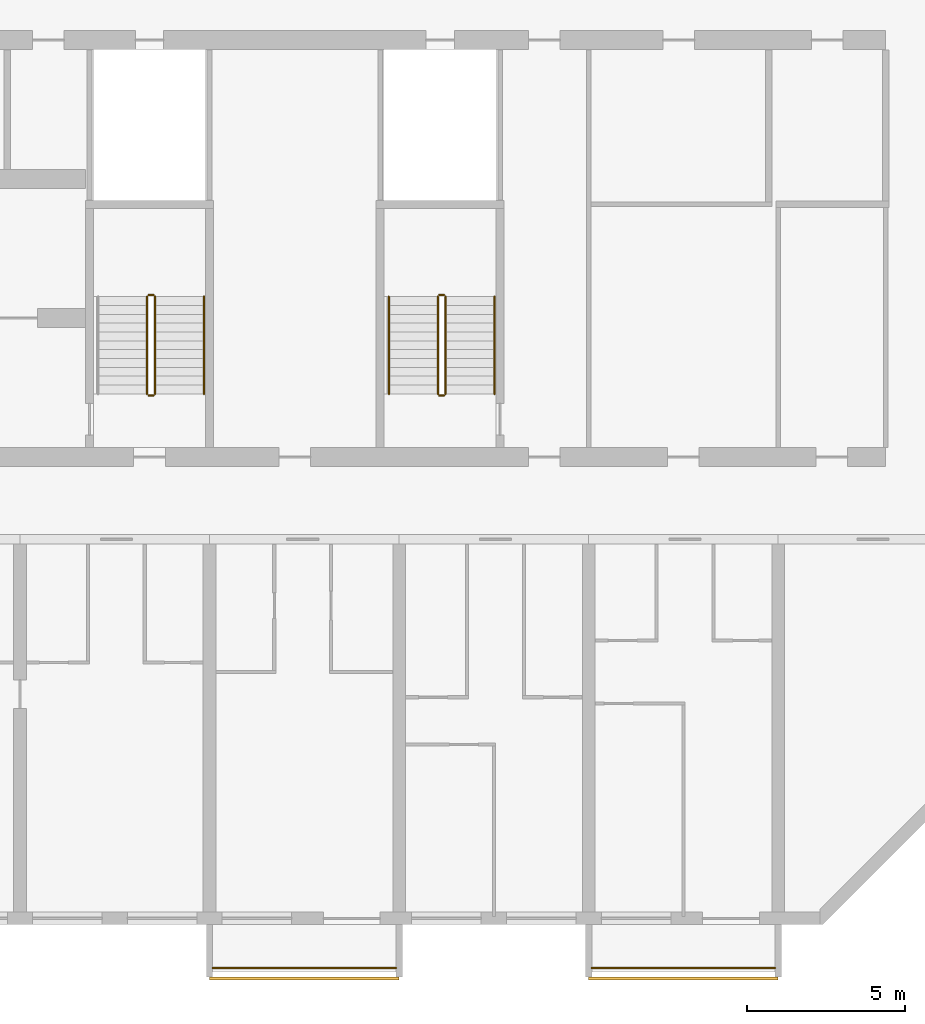
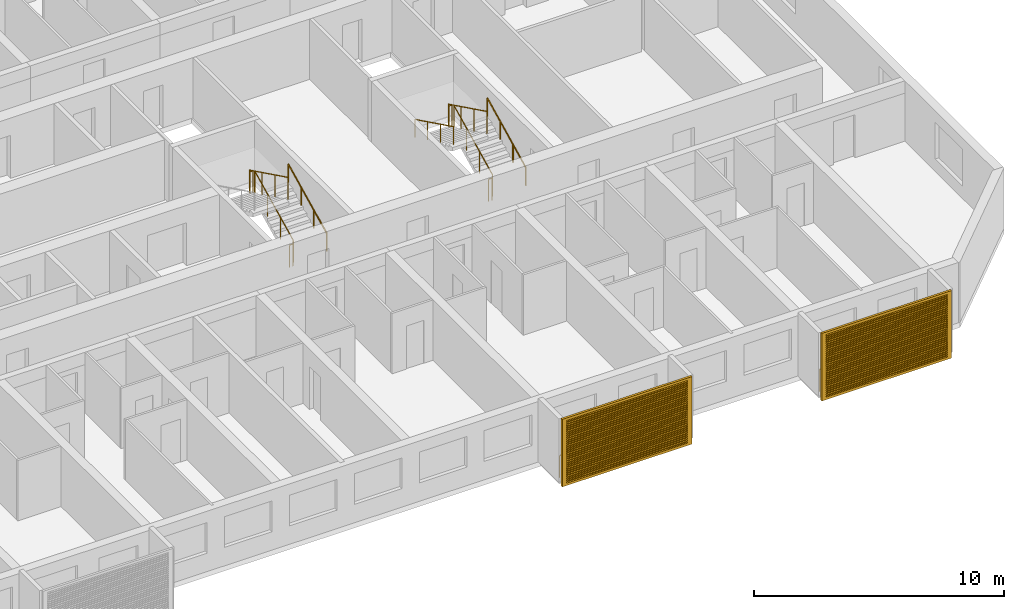
# One storey, part 35 of 39: 13 railings, 2 shading devices.
"""IFC4 building model written with IfcOpenShell, lengths in metres."""

from ifc_helpers import new_model, si_unit, direction, frame, origin, origin_2d, place, context, subcontext, project, spatial, polyline, circle, outline, extrude, source, transform, mapped, material, material_profile, profile_set, type_object, element, save


model = new_model("IFC4")

# Units and contexts
model_context = context("Model", 3, precision=1e-05, world=origin(), true_north=direction((0.0, 1.0)))
body_context = subcontext(model_context, "Body", "Model", "MODEL_VIEW")
ifc_project = project(units=[si_unit("LENGTHUNIT", "METRE"), si_unit("AREAUNIT", "SQUARE_METRE"), si_unit("VOLUMEUNIT", "CUBIC_METRE"), si_unit("PLANEANGLEUNIT", "RADIAN"), si_unit("MASSUNIT", "GRAM", prefix="KILO")], contexts=[model_context])

# Site, building, storey
site_placement = place(None, origin())
site = spatial("IfcSite", under=ifc_project, at=site_placement, CompositionType="ELEMENT")
building_placement = place(site_placement, origin())
building = spatial("IfcBuilding", under=site, at=building_placement, Name="Poui Terraces", CompositionType="ELEMENT")
storey_placement = place(building_placement, frame((0.0, 0.0, 63.0)))
storey = spatial("IfcBuildingStorey", under=building, at=storey_placement, Name="L17", CompositionType="ELEMENT", Elevation=63.0)

# Railings
ifc_material_1 = material(Name="Painted steel fretwork", Category="steel")
railing_type_1 = type_object("IfcRailingType", Name="BALCONY GUARD 1100", PredefinedType="GUARDRAIL", material=ifc_material_1)
for number, where, name in (
    (1, (72.10009765625, -1.570068359375, 0.0), "BALCONY GUARD"),
    (2, (84.10009765625, -1.570068359375, 0.0), "BALCONY GUARD"),
):
    element("IfcRailing", number, at=place(storey_placement, frame(where)), inside=storey, type_object=railing_type_1, Name=name, PredefinedType="GUARDRAIL", context=body_context, shape_type="SweptSolid", body=[
        extrude(circle(Radius=0.02392578125, at=origin_2d()), frame((0.0, 0.0, 1.076171875), z_axis=(1.0, 0.0, 0.0), x_axis=(0.0, 1.0, 0.0)), (0.0, 0.0, 1.0), 5.7998046875),
        extrude(circle(Radius=0.02099609375, at=origin_2d()), origin(), (0.0, 0.0, 1.0), 1.052001953125),
        extrude(circle(Radius=0.02099609375, at=origin_2d()), frame((0.966552734375, 0.0, 0.0)), (0.0, 0.0, 1.0), 1.052001953125),
        extrude(circle(Radius=0.02099609375, at=origin_2d()), frame((1.933349609375, 0.0, 0.0)), (0.0, 0.0, 1.0), 1.052001953125),
        extrude(circle(Radius=0.02099609375, at=origin_2d()), frame((2.89990234375, 0.0, 0.0)), (0.0, 0.0, 1.0), 1.052001953125),
        extrude(circle(Radius=0.02099609375, at=origin_2d()), frame((3.866455078125, 0.0, 0.0)), (0.0, 0.0, 1.0), 1.052001953125),
        extrude(circle(Radius=0.02099609375, at=origin_2d()), frame((4.833251953125, 0.0, 0.0)), (0.0, 0.0, 1.0), 1.052001953125),
        extrude(circle(Radius=0.02099609375, at=origin_2d()), frame((5.7998046875, 0.0, 0.0)), (0.0, 0.0, 1.0), 1.052001953125),
    ])
ifc_material_2 = material(Name="Galvanised steel balustrade", Category="steel")
railing_type_2 = type_object("IfcRailingType", Name="STAIR GUARD 1100", PredefinedType="GUARDRAIL", material=ifc_material_2)
railing_1_placement = place(storey_placement, frame((70.27490234375, 16.60009765625, 0.137451171875)))
element("IfcRailing", 3, at=railing_1_placement, inside=storey, type_object=railing_type_2, Name="L17 ST-CE stair guard 1", PredefinedType="GUARDRAIL", context=body_context, shape_type="SweptSolid", body=[
    extrude(circle(Radius=0.02392578125, at=origin_2d()), frame((0.0, 0.0, 1.076171875), z_axis=(0.0, 0.897606190399, 0.440798283751), x_axis=(-1.0, 0.0, 0.0)), (0.0, 0.0, 1.0), 3.43115234375),
    extrude(circle(Radius=0.02099609375, at=origin_2d()), origin(), (0.0, 0.0, 1.0), 1.052001953125),
    extrude(circle(Radius=0.02099609375, at=origin_2d()), frame((0.0, 1.026611328125, 0.504150390625)), (0.0, 0.0, 1.0), 1.052001953125),
    extrude(circle(Radius=0.02099609375, at=origin_2d()), frame((0.0, 2.05322265625, 1.00830078125)), (0.0, 0.0, 1.0), 1.052001953125),
    extrude(circle(Radius=0.02099609375, at=origin_2d()), frame((0.0, 3.079833984375, 1.512451171875)), (0.0, 0.0, 1.0), 1.052001953125),
])
railing_2_placement = place(storey_placement, frame((70.22509765625, 19.72998046875, 1.64990234375)))
element("IfcRailing", 4, at=railing_2_placement, inside=storey, type_object=railing_type_2, Name="L17 ST-CE stair guard 2", PredefinedType="GUARDRAIL", context=body_context, shape_type="SweptSolid", body=[
    extrude(circle(Radius=0.02392578125, at=origin_2d()), frame((0.0, 0.0, 1.076171875), z_axis=(-1.0, 0.0, 0.0), x_axis=(0.0, -1.0, 0.0)), (0.0, 0.0, 1.0), 0.150146484375),
    extrude(circle(Radius=0.02099609375, at=origin_2d()), origin(), (0.0, 0.0, 1.0), 1.052001953125),
    extrude(circle(Radius=0.02099609375, at=origin_2d()), frame((-0.150146484375, 0.0, 0.0)), (0.0, 0.0, 1.0), 1.052001953125),
])
railing_3_placement = place(storey_placement, frame((70.02490234375, 19.679931640625, 1.78759765625)))
element("IfcRailing", 5, at=railing_3_placement, inside=storey, type_object=railing_type_2, Name="L17 ST-CE stair guard 3", PredefinedType="GUARDRAIL", context=body_context, shape_type="SweptSolid", body=[
    extrude(circle(Radius=0.02392578125, at=origin_2d()), frame((0.0, 0.0, 1.076171875), z_axis=(0.0, -0.897606190399, 0.440798283751), x_axis=(1.0, 0.0, 0.0)), (0.0, 0.0, 1.0), 3.43115234375),
    extrude(circle(Radius=0.02099609375, at=origin_2d()), origin(), (0.0, 0.0, 1.0), 1.052001953125),
    extrude(circle(Radius=0.02099609375, at=origin_2d()), frame((0.0, -1.026611328125, 0.504150390625)), (0.0, 0.0, 1.0), 1.052001953125),
    extrude(circle(Radius=0.02099609375, at=origin_2d()), frame((0.0, -2.05322265625, 1.00830078125)), (0.0, 0.0, 1.0), 1.052001953125),
    extrude(circle(Radius=0.02099609375, at=origin_2d()), frame((0.0, -3.079833984375, 1.512451171875)), (0.0, 0.0, 1.0), 1.052001953125),
])
railing_4_placement = place(storey_placement, frame((70.22509765625, 16.550048828125, 0.0)))
element("IfcRailing", 6, at=railing_4_placement, inside=storey, type_object=railing_type_2, Name="L17 ST-CE stair guard 4", PredefinedType="GUARDRAIL", context=body_context, shape_type="SweptSolid", body=[
    extrude(circle(Radius=0.02392578125, at=origin_2d()), frame((0.0, 0.0, 1.076171875), z_axis=(-1.0, 0.0, 0.0), x_axis=(0.0, -1.0, 0.0)), (0.0, 0.0, 1.0), 0.150146484375),
    extrude(circle(Radius=0.02099609375, at=origin_2d()), origin(), (0.0, 0.0, 1.0), 1.052001953125),
    extrude(circle(Radius=0.02099609375, at=origin_2d()), frame((-0.150146484375, 0.0, 0.0)), (0.0, 0.0, 1.0), 1.052001953125),
])
railing_5_placement = place(storey_placement, frame((79.47509765625, 16.60009765625, 0.137451171875)))
element("IfcRailing", 7, at=railing_5_placement, inside=storey, type_object=railing_type_2, Name="L17 ST-E stair guard 1", PredefinedType="GUARDRAIL", context=body_context, shape_type="SweptSolid", body=[
    extrude(circle(Radius=0.02392578125, at=origin_2d()), frame((0.0, 0.0, 1.076171875), z_axis=(0.0, 0.897606190399, 0.440798283751), x_axis=(-1.0, 0.0, 0.0)), (0.0, 0.0, 1.0), 3.43115234375),
    extrude(circle(Radius=0.02099609375, at=origin_2d()), origin(), (0.0, 0.0, 1.0), 1.052001953125),
    extrude(circle(Radius=0.02099609375, at=origin_2d()), frame((0.0, 1.026611328125, 0.504150390625)), (0.0, 0.0, 1.0), 1.052001953125),
    extrude(circle(Radius=0.02099609375, at=origin_2d()), frame((0.0, 2.05322265625, 1.00830078125)), (0.0, 0.0, 1.0), 1.052001953125),
    extrude(circle(Radius=0.02099609375, at=origin_2d()), frame((0.0, 3.079833984375, 1.512451171875)), (0.0, 0.0, 1.0), 1.052001953125),
])
railing_6_placement = place(storey_placement, frame((79.425048828125, 19.72998046875, 1.64990234375)))
element("IfcRailing", 8, at=railing_6_placement, inside=storey, type_object=railing_type_2, Name="L17 ST-E stair guard 2", PredefinedType="GUARDRAIL", context=body_context, shape_type="SweptSolid", body=[
    extrude(circle(Radius=0.02392578125, at=origin_2d()), frame((0.0, 0.0, 1.076171875), z_axis=(-1.0, 0.0, 0.0), x_axis=(0.0, -1.0, 0.0)), (0.0, 0.0, 1.0), 0.150146484375),
    extrude(circle(Radius=0.02099609375, at=origin_2d()), origin(), (0.0, 0.0, 1.0), 1.052001953125),
    extrude(circle(Radius=0.02099609375, at=origin_2d()), frame((-0.150146484375, 0.0, 0.0)), (0.0, 0.0, 1.0), 1.052001953125),
])
railing_7_placement = place(storey_placement, frame((79.22509765625, 19.679931640625, 1.78759765625)))
element("IfcRailing", 9, at=railing_7_placement, inside=storey, type_object=railing_type_2, Name="L17 ST-E stair guard 3", PredefinedType="GUARDRAIL", context=body_context, shape_type="SweptSolid", body=[
    extrude(circle(Radius=0.02392578125, at=origin_2d()), frame((0.0, 0.0, 1.076171875), z_axis=(0.0, -0.897606190399, 0.440798283751), x_axis=(1.0, 0.0, 0.0)), (0.0, 0.0, 1.0), 3.43115234375),
    extrude(circle(Radius=0.02099609375, at=origin_2d()), origin(), (0.0, 0.0, 1.0), 1.052001953125),
    extrude(circle(Radius=0.02099609375, at=origin_2d()), frame((0.0, -1.026611328125, 0.504150390625)), (0.0, 0.0, 1.0), 1.052001953125),
    extrude(circle(Radius=0.02099609375, at=origin_2d()), frame((0.0, -2.05322265625, 1.00830078125)), (0.0, 0.0, 1.0), 1.052001953125),
    extrude(circle(Radius=0.02099609375, at=origin_2d()), frame((0.0, -3.079833984375, 1.512451171875)), (0.0, 0.0, 1.0), 1.052001953125),
])
railing_8_placement = place(storey_placement, frame((79.425048828125, 16.550048828125, 0.0)))
element("IfcRailing", 10, at=railing_8_placement, inside=storey, type_object=railing_type_2, Name="L17 ST-E stair guard 4", PredefinedType="GUARDRAIL", context=body_context, shape_type="SweptSolid", body=[
    extrude(circle(Radius=0.02392578125, at=origin_2d()), frame((0.0, 0.0, 1.076171875), z_axis=(-1.0, 0.0, 0.0), x_axis=(0.0, -1.0, 0.0)), (0.0, 0.0, 1.0), 0.150146484375),
    extrude(circle(Radius=0.02099609375, at=origin_2d()), origin(), (0.0, 0.0, 1.0), 1.052001953125),
    extrude(circle(Radius=0.02099609375, at=origin_2d()), frame((-0.150146484375, 0.0, 0.0)), (0.0, 0.0, 1.0), 1.052001953125),
])
ifc_material_3 = material(Name="Stainless steel handrail", Category="steel")
railing_type_3 = type_object("IfcRailingType", Name="STAIR HANDRAIL 900", PredefinedType="HANDRAIL", material=ifc_material_3)
for number, where, name in (
    (11, (71.824951171875, 16.60009765625, 0.137451171875), "L17 ST-CE stair handrail 1"),
    (12, (81.02490234375, 16.60009765625, 0.137451171875), "L17 ST-E stair handrail 1"),
):
    element("IfcRailing", number, at=place(storey_placement, frame(where)), inside=storey, type_object=railing_type_3, Name=name, PredefinedType="HANDRAIL", context=body_context, shape_type="SweptSolid", body=[
        extrude(circle(Radius=0.02392578125, at=origin_2d()), frame((0.0, 0.0, 0.8759765625), z_axis=(0.0, 0.897606190399, 0.440798283751), x_axis=(-1.0, 0.0, 0.0)), (0.0, 0.0, 1.0), 3.43115234375),
        extrude(circle(Radius=0.02099609375, at=origin_2d()), origin(), (0.0, 0.0, 1.0), 0.851806640625),
        extrude(circle(Radius=0.02099609375, at=origin_2d()), frame((0.0, 1.026611328125, 0.504150390625)), (0.0, 0.0, 1.0), 0.851806640625),
        extrude(circle(Radius=0.02099609375, at=origin_2d()), frame((0.0, 2.05322265625, 1.00830078125)), (0.0, 0.0, 1.0), 0.851806640625),
        extrude(circle(Radius=0.02099609375, at=origin_2d()), frame((0.0, 3.079833984375, 1.512451171875)), (0.0, 0.0, 1.0), 0.851806640625),
    ])
railing_9_placement = place(storey_placement, frame((77.675048828125, 19.679931640625, 1.78759765625)))
element("IfcRailing", 13, at=railing_9_placement, inside=storey, type_object=railing_type_3, Name="L17 ST-E stair handrail 2", PredefinedType="HANDRAIL", context=body_context, shape_type="SweptSolid", body=[
    extrude(circle(Radius=0.02392578125, at=origin_2d()), frame((0.0, 0.0, 0.8759765625), z_axis=(0.0, -0.897606190399, 0.440798283751), x_axis=(1.0, 0.0, 0.0)), (0.0, 0.0, 1.0), 3.43115234375),
    extrude(circle(Radius=0.02099609375, at=origin_2d()), origin(), (0.0, 0.0, 1.0), 0.851806640625),
    extrude(circle(Radius=0.02099609375, at=origin_2d()), frame((0.0, -1.026611328125, 0.504150390625)), (0.0, 0.0, 1.0), 0.851806640625),
    extrude(circle(Radius=0.02099609375, at=origin_2d()), frame((0.0, -2.05322265625, 1.00830078125)), (0.0, 0.0, 1.0), 0.851806640625),
    extrude(circle(Radius=0.02099609375, at=origin_2d()), frame((0.0, -3.079833984375, 1.512451171875)), (0.0, 0.0, 1.0), 0.851806640625),
])

# Shading devices
ifc_material_4 = material(Name="Aluminium louvre", Category="aluminium")
ifc_material_profile = material_profile(ifc_material_4, outline(polyline([(-3.0, -1.64990234375), (3.0, -1.64990234375), (3.0, 1.64990234375), (-3.0, 1.64990234375), (-3.0, -1.64990234375)]), holes=[polyline([(-2.800048828125, -1.530029296875), (2.800048828125, -1.530029296875), (2.800048828125, -1.469970703125), (-2.800048828125, -1.469970703125), (-2.800048828125, -1.530029296875)]), polyline([(-2.800048828125, -1.429931640625), (2.800048828125, -1.429931640625), (2.800048828125, -1.3701171875), (-2.800048828125, -1.3701171875), (-2.800048828125, -1.429931640625)]), polyline([(-2.800048828125, -1.330078125), (2.800048828125, -1.330078125), (2.800048828125, -1.27001953125), (-2.800048828125, -1.27001953125), (-2.800048828125, -1.330078125)]), polyline([(-2.800048828125, -1.22998046875), (2.800048828125, -1.22998046875), (2.800048828125, -1.169921875), (-2.800048828125, -1.169921875), (-2.800048828125, -1.22998046875)]), polyline([(-2.800048828125, -1.1298828125), (2.800048828125, -1.1298828125), (2.800048828125, -1.070068359375), (-2.800048828125, -1.070068359375), (-2.800048828125, -1.1298828125)]), polyline([(-2.800048828125, -1.030029296875), (2.800048828125, -1.030029296875), (2.800048828125, -0.969970703125), (-2.800048828125, -0.969970703125), (-2.800048828125, -1.030029296875)]), polyline([(-2.800048828125, -0.929931640625), (2.800048828125, -0.929931640625), (2.800048828125, -0.8701171875), (-2.800048828125, -0.8701171875), (-2.800048828125, -0.929931640625)]), polyline([(-2.800048828125, -0.830078125), (2.800048828125, -0.830078125), (2.800048828125, -0.77001953125), (-2.800048828125, -0.77001953125), (-2.800048828125, -0.830078125)]), polyline([(-2.800048828125, -0.72998046875), (2.800048828125, -0.72998046875), (2.800048828125, -0.669921875), (-2.800048828125, -0.669921875), (-2.800048828125, -0.72998046875)]), polyline([(-2.800048828125, -0.6298828125), (2.800048828125, -0.6298828125), (2.800048828125, -0.570068359375), (-2.800048828125, -0.570068359375), (-2.800048828125, -0.6298828125)]), polyline([(-2.800048828125, -0.530029296875), (2.800048828125, -0.530029296875), (2.800048828125, -0.469970703125), (-2.800048828125, -0.469970703125), (-2.800048828125, -0.530029296875)]), polyline([(-2.800048828125, -0.429931640625), (2.800048828125, -0.429931640625), (2.800048828125, -0.3701171875), (-2.800048828125, -0.3701171875), (-2.800048828125, -0.429931640625)]), polyline([(-2.800048828125, -0.330078125), (2.800048828125, -0.330078125), (2.800048828125, -0.27001953125), (-2.800048828125, -0.27001953125), (-2.800048828125, -0.330078125)]), polyline([(-2.800048828125, -0.22998046875), (2.800048828125, -0.22998046875), (2.800048828125, -0.169921875), (-2.800048828125, -0.169921875), (-2.800048828125, -0.22998046875)]), polyline([(-2.800048828125, -0.1298828125), (2.800048828125, -0.1298828125), (2.800048828125, -0.070068359375), (-2.800048828125, -0.070068359375), (-2.800048828125, -0.1298828125)]), polyline([(-2.800048828125, -0.030029296875), (2.800048828125, -0.030029296875), (2.800048828125, 0.030029296875), (-2.800048828125, 0.030029296875), (-2.800048828125, -0.030029296875)]), polyline([(-2.800048828125, 0.070068359375), (2.800048828125, 0.070068359375), (2.800048828125, 0.1298828125), (-2.800048828125, 0.1298828125), (-2.800048828125, 0.070068359375)]), polyline([(-2.800048828125, 0.169921875), (2.800048828125, 0.169921875), (2.800048828125, 0.22998046875), (-2.800048828125, 0.22998046875), (-2.800048828125, 0.169921875)]), polyline([(-2.800048828125, 0.27001953125), (2.800048828125, 0.27001953125), (2.800048828125, 0.330078125), (-2.800048828125, 0.330078125), (-2.800048828125, 0.27001953125)]), polyline([(-2.800048828125, 0.3701171875), (2.800048828125, 0.3701171875), (2.800048828125, 0.429931640625), (-2.800048828125, 0.429931640625), (-2.800048828125, 0.3701171875)]), polyline([(-2.800048828125, 0.469970703125), (2.800048828125, 0.469970703125), (2.800048828125, 0.530029296875), (-2.800048828125, 0.530029296875), (-2.800048828125, 0.469970703125)]), polyline([(-2.800048828125, 0.570068359375), (2.800048828125, 0.570068359375), (2.800048828125, 0.6298828125), (-2.800048828125, 0.6298828125), (-2.800048828125, 0.570068359375)]), polyline([(-2.800048828125, 0.669921875), (2.800048828125, 0.669921875), (2.800048828125, 0.72998046875), (-2.800048828125, 0.72998046875), (-2.800048828125, 0.669921875)]), polyline([(-2.800048828125, 0.77001953125), (2.800048828125, 0.77001953125), (2.800048828125, 0.830078125), (-2.800048828125, 0.830078125), (-2.800048828125, 0.77001953125)]), polyline([(-2.800048828125, 0.8701171875), (2.800048828125, 0.8701171875), (2.800048828125, 0.929931640625), (-2.800048828125, 0.929931640625), (-2.800048828125, 0.8701171875)]), polyline([(-2.800048828125, 0.969970703125), (2.800048828125, 0.969970703125), (2.800048828125, 1.030029296875), (-2.800048828125, 1.030029296875), (-2.800048828125, 0.969970703125)]), polyline([(-2.800048828125, 1.070068359375), (2.800048828125, 1.070068359375), (2.800048828125, 1.1298828125), (-2.800048828125, 1.1298828125), (-2.800048828125, 1.070068359375)]), polyline([(-2.800048828125, 1.169921875), (2.800048828125, 1.169921875), (2.800048828125, 1.22998046875), (-2.800048828125, 1.22998046875), (-2.800048828125, 1.169921875)]), polyline([(-2.800048828125, 1.27001953125), (2.800048828125, 1.27001953125), (2.800048828125, 1.330078125), (-2.800048828125, 1.330078125), (-2.800048828125, 1.27001953125)]), polyline([(-2.800048828125, 1.3701171875), (2.800048828125, 1.3701171875), (2.800048828125, 1.429931640625), (-2.800048828125, 1.429931640625), (-2.800048828125, 1.3701171875)]), polyline([(-2.800048828125, 1.469970703125), (2.800048828125, 1.469970703125), (2.800048828125, 1.530029296875), (-2.800048828125, 1.530029296875), (-2.800048828125, 1.469970703125)])]), Name="JALOUSIE LOUVRE SHUTTER 6000X3300")
ifc_profile_set = profile_set([ifc_material_profile], Name="Aluminium louvre")
shading_device_type = type_object("IfcShadingDeviceType", Name="JALOUSIE LOUVRE SHUTTER 6000X3300", PredefinedType="JALOUSIE", material=ifc_profile_set)
shared_shape = source(origin(), body_context, "Body", "SweptSolid", [
    extrude(outline(polyline([(-3.0, -1.64990234375), (3.0, -1.64990234375), (3.0, 1.64990234375), (-3.0, 1.64990234375), (-3.0, -1.64990234375)]), holes=[polyline([(-2.800048828125, -1.530029296875), (2.800048828125, -1.530029296875), (2.800048828125, -1.469970703125), (-2.800048828125, -1.469970703125), (-2.800048828125, -1.530029296875)]), polyline([(-2.800048828125, -1.429931640625), (2.800048828125, -1.429931640625), (2.800048828125, -1.3701171875), (-2.800048828125, -1.3701171875), (-2.800048828125, -1.429931640625)]), polyline([(-2.800048828125, -1.330078125), (2.800048828125, -1.330078125), (2.800048828125, -1.27001953125), (-2.800048828125, -1.27001953125), (-2.800048828125, -1.330078125)]), polyline([(-2.800048828125, -1.22998046875), (2.800048828125, -1.22998046875), (2.800048828125, -1.169921875), (-2.800048828125, -1.169921875), (-2.800048828125, -1.22998046875)]), polyline([(-2.800048828125, -1.1298828125), (2.800048828125, -1.1298828125), (2.800048828125, -1.070068359375), (-2.800048828125, -1.070068359375), (-2.800048828125, -1.1298828125)]), polyline([(-2.800048828125, -1.030029296875), (2.800048828125, -1.030029296875), (2.800048828125, -0.969970703125), (-2.800048828125, -0.969970703125), (-2.800048828125, -1.030029296875)]), polyline([(-2.800048828125, -0.929931640625), (2.800048828125, -0.929931640625), (2.800048828125, -0.8701171875), (-2.800048828125, -0.8701171875), (-2.800048828125, -0.929931640625)]), polyline([(-2.800048828125, -0.830078125), (2.800048828125, -0.830078125), (2.800048828125, -0.77001953125), (-2.800048828125, -0.77001953125), (-2.800048828125, -0.830078125)]), polyline([(-2.800048828125, -0.72998046875), (2.800048828125, -0.72998046875), (2.800048828125, -0.669921875), (-2.800048828125, -0.669921875), (-2.800048828125, -0.72998046875)]), polyline([(-2.800048828125, -0.6298828125), (2.800048828125, -0.6298828125), (2.800048828125, -0.570068359375), (-2.800048828125, -0.570068359375), (-2.800048828125, -0.6298828125)]), polyline([(-2.800048828125, -0.530029296875), (2.800048828125, -0.530029296875), (2.800048828125, -0.469970703125), (-2.800048828125, -0.469970703125), (-2.800048828125, -0.530029296875)]), polyline([(-2.800048828125, -0.429931640625), (2.800048828125, -0.429931640625), (2.800048828125, -0.3701171875), (-2.800048828125, -0.3701171875), (-2.800048828125, -0.429931640625)]), polyline([(-2.800048828125, -0.330078125), (2.800048828125, -0.330078125), (2.800048828125, -0.27001953125), (-2.800048828125, -0.27001953125), (-2.800048828125, -0.330078125)]), polyline([(-2.800048828125, -0.22998046875), (2.800048828125, -0.22998046875), (2.800048828125, -0.169921875), (-2.800048828125, -0.169921875), (-2.800048828125, -0.22998046875)]), polyline([(-2.800048828125, -0.1298828125), (2.800048828125, -0.1298828125), (2.800048828125, -0.070068359375), (-2.800048828125, -0.070068359375), (-2.800048828125, -0.1298828125)]), polyline([(-2.800048828125, -0.030029296875), (2.800048828125, -0.030029296875), (2.800048828125, 0.030029296875), (-2.800048828125, 0.030029296875), (-2.800048828125, -0.030029296875)]), polyline([(-2.800048828125, 0.070068359375), (2.800048828125, 0.070068359375), (2.800048828125, 0.1298828125), (-2.800048828125, 0.1298828125), (-2.800048828125, 0.070068359375)]), polyline([(-2.800048828125, 0.169921875), (2.800048828125, 0.169921875), (2.800048828125, 0.22998046875), (-2.800048828125, 0.22998046875), (-2.800048828125, 0.169921875)]), polyline([(-2.800048828125, 0.27001953125), (2.800048828125, 0.27001953125), (2.800048828125, 0.330078125), (-2.800048828125, 0.330078125), (-2.800048828125, 0.27001953125)]), polyline([(-2.800048828125, 0.3701171875), (2.800048828125, 0.3701171875), (2.800048828125, 0.429931640625), (-2.800048828125, 0.429931640625), (-2.800048828125, 0.3701171875)]), polyline([(-2.800048828125, 0.469970703125), (2.800048828125, 0.469970703125), (2.800048828125, 0.530029296875), (-2.800048828125, 0.530029296875), (-2.800048828125, 0.469970703125)]), polyline([(-2.800048828125, 0.570068359375), (2.800048828125, 0.570068359375), (2.800048828125, 0.6298828125), (-2.800048828125, 0.6298828125), (-2.800048828125, 0.570068359375)]), polyline([(-2.800048828125, 0.669921875), (2.800048828125, 0.669921875), (2.800048828125, 0.72998046875), (-2.800048828125, 0.72998046875), (-2.800048828125, 0.669921875)]), polyline([(-2.800048828125, 0.77001953125), (2.800048828125, 0.77001953125), (2.800048828125, 0.830078125), (-2.800048828125, 0.830078125), (-2.800048828125, 0.77001953125)]), polyline([(-2.800048828125, 0.8701171875), (2.800048828125, 0.8701171875), (2.800048828125, 0.929931640625), (-2.800048828125, 0.929931640625), (-2.800048828125, 0.8701171875)]), polyline([(-2.800048828125, 0.969970703125), (2.800048828125, 0.969970703125), (2.800048828125, 1.030029296875), (-2.800048828125, 1.030029296875), (-2.800048828125, 0.969970703125)]), polyline([(-2.800048828125, 1.070068359375), (2.800048828125, 1.070068359375), (2.800048828125, 1.1298828125), (-2.800048828125, 1.1298828125), (-2.800048828125, 1.070068359375)]), polyline([(-2.800048828125, 1.169921875), (2.800048828125, 1.169921875), (2.800048828125, 1.22998046875), (-2.800048828125, 1.22998046875), (-2.800048828125, 1.169921875)]), polyline([(-2.800048828125, 1.27001953125), (2.800048828125, 1.27001953125), (2.800048828125, 1.330078125), (-2.800048828125, 1.330078125), (-2.800048828125, 1.27001953125)]), polyline([(-2.800048828125, 1.3701171875), (2.800048828125, 1.3701171875), (2.800048828125, 1.429931640625), (-2.800048828125, 1.429931640625), (-2.800048828125, 1.3701171875)]), polyline([(-2.800048828125, 1.469970703125), (2.800048828125, 1.469970703125), (2.800048828125, 1.530029296875), (-2.800048828125, 1.530029296875), (-2.800048828125, 1.469970703125)])]), origin(), (0.0, 0.0, 1.0), 0.099853515625),
])
for number, where, z_axis, x_axis, name in (
    (14, (75.0, -1.85009765625, 1.449951171875), (0.0, -1.0, 0.0), (1.0, 0.0, 0.0), "JALOUSIE LOUVRE SHUTTER"),
    (15, (87.0, -1.85009765625, 1.449951171875), (0.0, -1.0, 0.0), (1.0, 0.0, 0.0), "JALOUSIE LOUVRE SHUTTER"),
):
    element("IfcShadingDevice", number, at=place(storey_placement, frame(where, z_axis=z_axis, x_axis=x_axis)), inside=storey, type_object=shading_device_type, Name=name, PredefinedType="JALOUSIE", context=body_context, shape_type="MappedRepresentation", body=[
        mapped(shared_shape, transform((0.0, 0.0, 0.0))),
    ])

save(model, "model.ifc")
